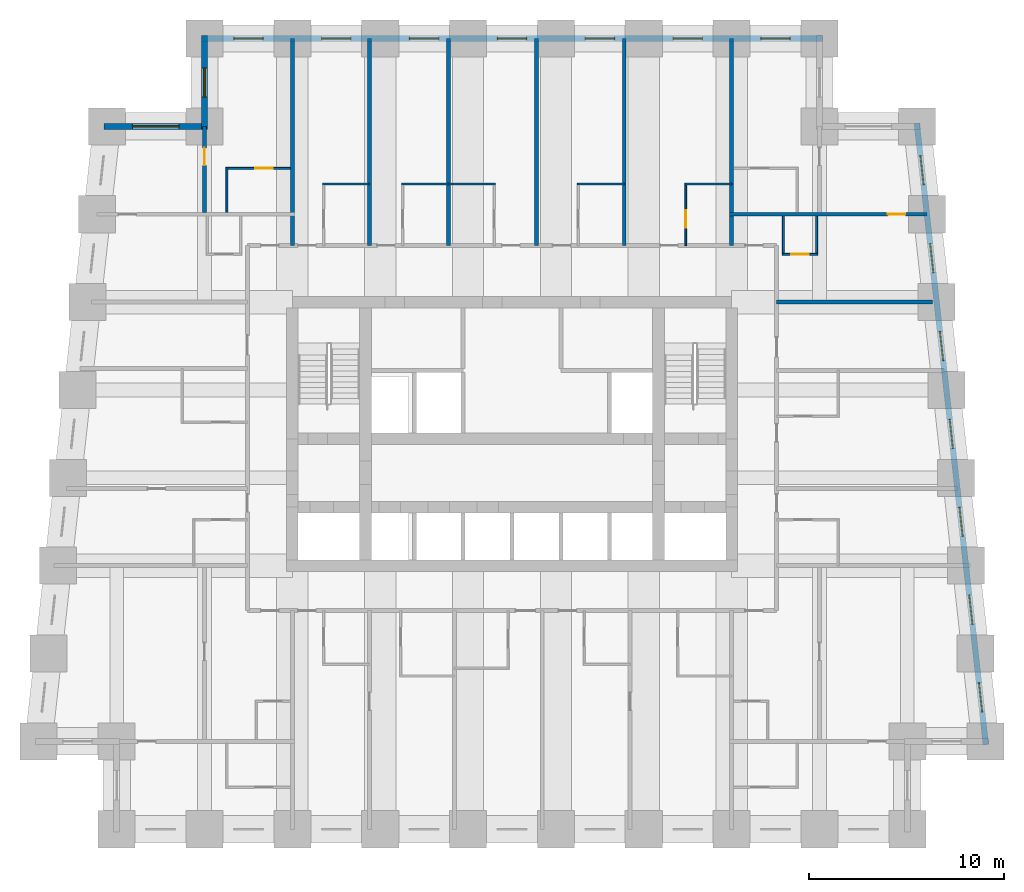
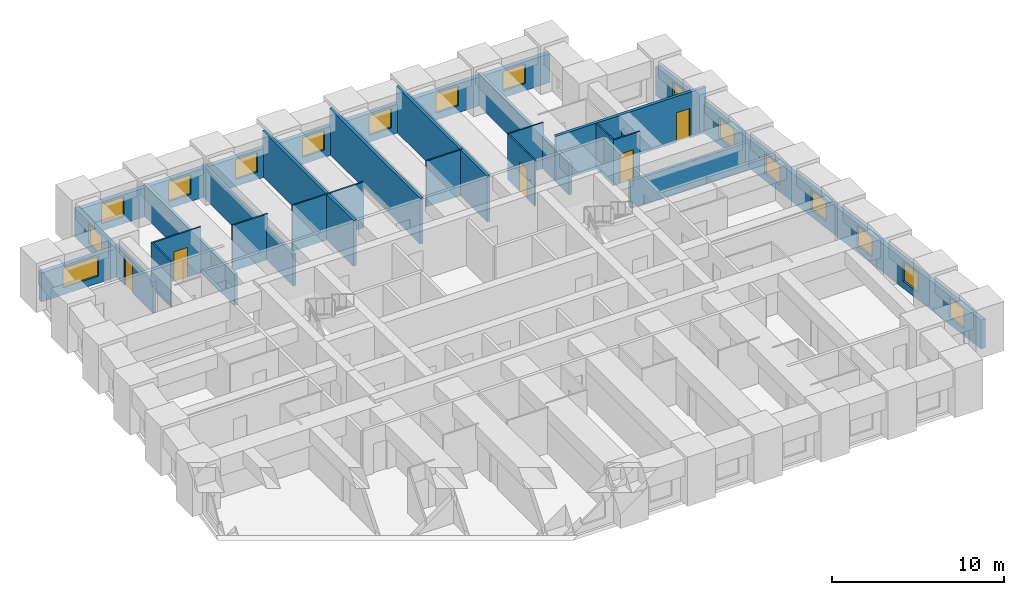
# One storey, part 6 of 8: 24 walls, 16 windows, 5 doors, 21 openings.
"""IFC4 building model written with IfcOpenShell, lengths in metres."""

from ifc_helpers import new_model, si_unit, direction, frame, frame_2d, origin, place, context, subcontext, project, spatial, rectangle, extrude, material, layer, layer_set, type_object, element, fill, save


model = new_model("IFC4")

# Units and contexts
model_context = context("Model", 3, precision=1e-05, world=origin(), true_north=direction((0.0, 1.0)))
body_context = subcontext(model_context, "Body", "Model", "MODEL_VIEW")
ifc_project = project(units=[si_unit("LENGTHUNIT", "METRE"), si_unit("AREAUNIT", "SQUARE_METRE"), si_unit("VOLUMEUNIT", "CUBIC_METRE"), si_unit("PLANEANGLEUNIT", "RADIAN"), si_unit("MASSUNIT", "GRAM", prefix="KILO")], contexts=[model_context])

# Site, building, storey
site_placement = place(None, origin())
site = spatial("IfcSite", under=ifc_project, at=site_placement, CompositionType="ELEMENT")
building_placement = place(site_placement, origin())
building = spatial("IfcBuilding", under=site, at=building_placement, Name="Kilele Tower Hotel", CompositionType="ELEMENT")
storey_placement = place(building_placement, frame((0.0, 0.0, 50.699951171875)))
storey = spatial("IfcBuildingStorey", under=building, at=storey_placement, Name="L11", CompositionType="ELEMENT", Elevation=50.699951171875)

# Walls
ifc_material_1 = material(Name="Moisture-resistant board")
ifc_layer_1 = layer(ifc_material_1, 0.10009765625)
ifc_layer_set_1 = layer_set([ifc_layer_1], Name="Moisture-resistant board")
wall_type_1 = type_object("IfcWallType", Name="Bathroom partition 100", PredefinedType="PLUMBINGWALL", material=ifc_layer_set_1)
for number, where, z_axis, x_axis, name in (
    (1, (15.050048828125, 33.050048828125, 0.0), (0.0, 0.0, 1.0), (1.0, 0.0, 0.0), "Bathroom partition 100 L11"),
    (2, (19.10009765625, 33.050048828125, 0.0), (0.0, 0.0, 1.0), (1.0, 0.0, 0.0), "Bathroom partition 100 L11"),
    (3, (21.5, 33.050048828125, 0.0), (0.0, 0.0, 1.0), (1.0, 0.0, 0.0), "Bathroom partition 100 L11"),
    (4, (28.10009765625, 33.050048828125, 0.0), (0.0, 0.0, 1.0), (1.0, 0.0, 0.0), "Bathroom partition 100 L11"),
    (5, (33.60009765625, 33.050048828125, 0.0), (0.0, 0.0, 1.0), (1.0, 0.0, 0.0), "Bathroom partition 100 L11"),
):
    element("IfcWall", number, at=place(storey_placement, frame(where, z_axis=z_axis, x_axis=x_axis)), inside=storey, type_object=wall_type_1, Name=name, PredefinedType="PLUMBINGWALL", context=body_context, shape_type="SweptSolid", body=[
        extrude(rectangle(XDim=2.39990234375, YDim=0.10009765625, at=frame_2d((1.199951171875, 0.0))), origin(), (0.0, 0.0, 1.0), 3.25),
    ])

# Wall, opening, door
wall_1_placement = place(storey_placement, frame((33.64990234375, 29.89990234375, 0.0), z_axis=(0.0, 0.0, 1.0), x_axis=(0.0, 1.0, 0.0)))
wall_1 = element("IfcWall", 6, at=wall_1_placement, inside=storey, type_object=wall_type_1, Name="Bathroom partition 100 L11", PredefinedType="PLUMBINGWALL", context=body_context, shape_type="SweptSolid", body=[
    extrude(rectangle(XDim=3.2001953125, YDim=0.10009765625, at=frame_2d((1.60009765625, 0.0))), origin(), (0.0, 0.0, 1.0), 3.25),
])
opening_1_placement = place(wall_1_placement, frame((0.89990234375, 0.0, 0.0)))
opening_1 = element("IfcOpeningElement", 7, at=opening_1_placement, cuts=wall_1, Name="Opening D2A", PredefinedType="OPENING", context=body_context, shape_type="SweptSolid", body=[
    extrude(rectangle(XDim=0.89990234375, YDim=2.10009765625, at=frame_2d((0.449951171875, 1.050048828125))), frame((0.0, 0.06005859375, 0.0), z_axis=(0.0, -1.0, 0.0), x_axis=(1.0, 0.0, 0.0)), (0.0, 0.0, 1.0), 0.1201171875),
])
ifc_material_2 = material(Name="Timber door leaf in hardwood frame", Category="wood")
door_type_1 = type_object("IfcDoorType", Name="Bathroom door 900", OperationType="SINGLE_SWING_LEFT", PredefinedType="DOOR", material=ifc_material_2)
door_1_placement = place(opening_1_placement, origin())
door_1 = element("IfcDoor", 8, at=door_1_placement, inside=storey, type_object=door_type_1, Name="Bathroom door 1113B", OperationType="SINGLE_SWING_LEFT", OverallHeight=2.10009765625, OverallWidth=0.89990234375, PredefinedType="DOOR", context=body_context, shape_type="SweptSolid", body=[
    extrude(rectangle(XDim=0.89990234375, YDim=2.10009765625, at=frame_2d((0.449951171875, 1.050048828125))), frame((0.0, 0.02490234375, 0.0), z_axis=(0.0, -1.0, 0.0), x_axis=(1.0, 0.0, 0.0)), (0.0, 0.0, 1.0), 0.050048828125),
])
fill(opening_1, door_1)

# Walls
wall_2_placement = place(storey_placement, frame((40.35009765625, 31.39990234375, 0.0), z_axis=(0.0, 0.0, 1.0), x_axis=(0.0, -1.0, 0.0)))
element("IfcWall", 9, at=wall_2_placement, inside=storey, type_object=wall_type_1, Name="Bathroom partition 100 L11", PredefinedType="PLUMBINGWALL", context=body_context, shape_type="SweptSolid", body=[
    extrude(rectangle(XDim=2.0, YDim=0.10009765625, at=frame_2d((1.0, 0.0))), origin(), (0.0, 0.0, 1.0), 2.25),
])
wall_3_placement = place(storey_placement, frame((38.64990234375, 31.39990234375, 0.0), z_axis=(0.0, 0.0, 1.0), x_axis=(0.0, -1.0, 0.0)))
element("IfcWall", 10, at=wall_3_placement, inside=storey, type_object=wall_type_1, Name="Bathroom partition 100 L11", PredefinedType="PLUMBINGWALL", context=body_context, shape_type="SweptSolid", body=[
    extrude(rectangle(XDim=2.0, YDim=0.10009765625, at=frame_2d((1.0, 0.0))), origin(), (0.0, 0.0, 1.0), 3.25),
])

# Wall, opening, door
wall_4_placement = place(storey_placement, frame((38.60009765625, 29.449951171875, 0.0), z_axis=(0.0, 0.0, 1.0), x_axis=(1.0, 0.0, 0.0)))
wall_4 = element("IfcWall", 11, at=wall_4_placement, inside=storey, type_object=wall_type_1, Name="Bathroom partition 100 L11", PredefinedType="PLUMBINGWALL", context=body_context, shape_type="SweptSolid", body=[
    extrude(rectangle(XDim=1.7998046875, YDim=0.10009765625, at=frame_2d((0.89990234375, 0.0))), origin(), (0.0, 0.0, 1.0), 3.25),
])
opening_2_placement = place(wall_4_placement, frame((1.349853515625, 0.0, 0.0), z_axis=(0.0, 0.0, 1.0), x_axis=(-1.0, 0.0, 0.0)))
opening_2 = element("IfcOpeningElement", 12, at=opening_2_placement, cuts=wall_4, Name="Opening D2A", PredefinedType="OPENING", context=body_context, shape_type="SweptSolid", body=[
    extrude(rectangle(XDim=0.89990234375, YDim=2.10009765625, at=frame_2d((0.449951171875, 1.050048828125))), frame((0.0, 0.06005859375, 0.0), z_axis=(0.0, -1.0, 0.0), x_axis=(1.0, 0.0, 0.0)), (0.0, 0.0, 1.0), 0.1201171875),
])
door_2_placement = place(opening_2_placement, origin())
door_2 = element("IfcDoor", 13, at=door_2_placement, inside=storey, type_object=door_type_1, Name="Bathroom door 1123P", OperationType="SINGLE_SWING_RIGHT", OverallHeight=2.10009765625, OverallWidth=0.89990234375, PredefinedType="DOOR", context=body_context, shape_type="SweptSolid", body=[
    extrude(rectangle(XDim=0.89990234375, YDim=2.10009765625, at=frame_2d((0.449951171875, 1.050048828125))), frame((0.0, 0.02490234375, 0.0), z_axis=(0.0, -1.0, 0.0), x_axis=(1.0, 0.0, 0.0)), (0.0, 0.0, 1.0), 0.050048828125),
])
fill(opening_2, door_2)

# Wall
wall_5_placement = place(storey_placement, frame((10.14990234375, 31.60009765625, 0.0), z_axis=(0.0, 0.0, 1.0), x_axis=(0.0, 1.0, 0.0)))
element("IfcWall", 14, at=wall_5_placement, inside=storey, type_object=wall_type_1, Name="Bathroom partition 100 L11", PredefinedType="PLUMBINGWALL", context=body_context, shape_type="SweptSolid", body=[
    extrude(rectangle(XDim=2.2998046875, YDim=0.10009765625, at=frame_2d((1.14990234375, 0.0))), origin(), (0.0, 0.0, 1.0), 3.25),
])

# Wall, opening, door
wall_6_placement = place(storey_placement, frame((13.39990234375, 33.85009765625, 0.0), z_axis=(0.0, 0.0, 1.0), x_axis=(-1.0, 0.0, 0.0)))
wall_6 = element("IfcWall", 15, at=wall_6_placement, inside=storey, type_object=wall_type_1, Name="Bathroom partition 100 L11", PredefinedType="PLUMBINGWALL", context=body_context, shape_type="SweptSolid", body=[
    extrude(rectangle(XDim=3.2998046875, YDim=0.10009765625, at=frame_2d((1.64990234375, 0.0))), origin(), (0.0, 0.0, 1.0), 3.25),
])
opening_3_placement = place(wall_6_placement, frame((1.7998046875, 0.0, 0.0), z_axis=(0.0, 0.0, 1.0), x_axis=(-1.0, 0.0, 0.0)))
opening_3 = element("IfcOpeningElement", 16, at=opening_3_placement, cuts=wall_6, Name="Opening D2A", PredefinedType="OPENING", context=body_context, shape_type="SweptSolid", body=[
    extrude(rectangle(XDim=0.89990234375, YDim=2.10009765625, at=frame_2d((0.449951171875, 1.050048828125))), frame((0.0, 0.06005859375, 0.0), z_axis=(0.0, -1.0, 0.0), x_axis=(1.0, 0.0, 0.0)), (0.0, 0.0, 1.0), 0.1201171875),
])
door_3_placement = place(opening_3_placement, origin())
door_3 = element("IfcDoor", 17, at=door_3_placement, inside=storey, type_object=door_type_1, Name="Bathroom door 1127B", OperationType="SINGLE_SWING_RIGHT", OverallHeight=2.10009765625, OverallWidth=0.89990234375, PredefinedType="DOOR", context=body_context, shape_type="SweptSolid", body=[
    extrude(rectangle(XDim=0.89990234375, YDim=2.10009765625, at=frame_2d((0.449951171875, 1.050048828125))), frame((0.0, 0.02490234375, 0.0), z_axis=(0.0, -1.0, 0.0), x_axis=(1.0, 0.0, 0.0)), (0.0, 0.0, 1.0), 0.050048828125),
])
fill(opening_3, door_3)

ifc_material_3 = material(Name="Blockwork, plastered both sides", Category="masonry")
ifc_layer_2 = layer(ifc_material_3, 0.199951171875)
ifc_layer_set_2 = layer_set([ifc_layer_2], Name="Blockwork, plastered both sides")
wall_type_2 = type_object("IfcWallType", Name="Partition wall 200", PredefinedType="PARTITIONING", material=ifc_layer_set_2)
wall_7_placement = place(storey_placement, frame((9.0, 31.60009765625, 0.0), z_axis=(0.0, 0.0, 1.0), x_axis=(0.0, 1.0, 0.0)))
wall_7 = element("IfcWall", 18, at=wall_7_placement, inside=storey, type_object=wall_type_2, Name="Partition wall 200 L11", PredefinedType="PARTITIONING", context=body_context, shape_type="SweptSolid", body=[
    extrude(rectangle(XDim=4.39990234375, YDim=0.199951171875, at=frame_2d((2.199951171875, 0.0))), origin(), (0.0, 0.0, 1.0), 2.25),
])
opening_4_placement = place(wall_7_placement, frame((2.39990234375, 0.0, 0.0)))
opening_4 = element("IfcOpeningElement", 19, at=opening_4_placement, cuts=wall_7, Name="Opening D3", PredefinedType="OPENING", context=body_context, shape_type="SweptSolid", body=[
    extrude(rectangle(XDim=0.89990234375, YDim=2.10009765625, at=frame_2d((0.449951171875, 1.050048828125))), frame((0.0, 0.10986328125, 0.0), z_axis=(0.0, -1.0, 0.0), x_axis=(1.0, 0.0, 0.0)), (0.0, 0.0, 1.0), 0.219970703125),
])
ifc_material_4 = material(Name="Timber door leaf in hardwood frame", Category="wood")
door_type_2 = type_object("IfcDoorType", Name="Suite internal door 900", OperationType="SINGLE_SWING_LEFT", PredefinedType="DOOR", material=ifc_material_4)
door_4_placement = place(opening_4_placement, origin())
door_4 = element("IfcDoor", 20, at=door_4_placement, inside=storey, type_object=door_type_2, Name="Suite door 1128", OperationType="SINGLE_SWING_RIGHT", OverallHeight=2.10009765625, OverallWidth=0.89990234375, PredefinedType="DOOR", context=body_context, shape_type="SweptSolid", body=[
    extrude(rectangle(XDim=0.89990234375, YDim=2.10009765625, at=frame_2d((0.449951171875, 1.050048828125))), frame((0.0, 0.02490234375, 0.0), z_axis=(0.0, -1.0, 0.0), x_axis=(1.0, 0.0, 0.0)), (0.0, 0.0, 1.0), 0.050048828125),
])
fill(opening_4, door_4)

# Walls
ifc_material_5 = material(Name="Blockwork, plastered both sides", Category="masonry")
ifc_layer_3 = layer(ifc_material_5, 0.199951171875)
ifc_layer_set_3 = layer_set([ifc_layer_3], Name="Blockwork, plastered both sides")
wall_type_3 = type_object("IfcWallType", Name="Party wall 200", PredefinedType="PARTITIONING", material=ifc_layer_set_3)
wall_8_placement = place(storey_placement, frame((17.449951171875, 29.89990234375, 0.0), z_axis=(0.0, 0.0, 1.0), x_axis=(0.0, 1.0, 0.0)))
element("IfcWall", 21, at=wall_8_placement, inside=storey, type_object=wall_type_3, Name="Party wall 200 L11", PredefinedType="PARTITIONING", context=body_context, shape_type="SweptSolid", body=[
    extrude(rectangle(XDim=10.60009765625, YDim=0.199951171875, at=frame_2d((5.300048828125, 0.0))), origin(), (0.0, 0.0, 1.0), 2.25),
])
for number, where, z_axis, x_axis, name in (
    (22, (21.5, 29.89990234375, 0.0), (0.0, 0.0, 1.0), (0.0, 1.0, 0.0), "Party wall 200 L11"),
    (23, (26.0, 29.89990234375, 0.0), (0.0, 0.0, 1.0), (0.0, 1.0, 0.0), "Party wall 200 L11"),
    (24, (30.5, 29.89990234375, 0.0), (0.0, 0.0, 1.0), (0.0, 1.0, 0.0), "Party wall 200 L11"),
):
    element("IfcWall", number, at=place(storey_placement, frame(where, z_axis=z_axis, x_axis=x_axis)), inside=storey, type_object=wall_type_3, Name=name, PredefinedType="PARTITIONING", context=body_context, shape_type="SweptSolid", body=[
        extrude(rectangle(XDim=10.60009765625, YDim=0.199951171875, at=frame_2d((5.300048828125, 0.0))), origin(), (0.0, 0.0, 1.0), 3.25),
    ])
wall_9_placement = place(storey_placement, frame((38.300048828125, 27.0, 0.0), z_axis=(0.0, 0.0, 1.0), x_axis=(1.0, 0.0, 0.0)))
element("IfcWall", 25, at=wall_9_placement, inside=storey, type_object=wall_type_3, Name="Party wall 200 L11", PredefinedType="PARTITIONING", context=body_context, shape_type="SweptSolid", body=[
    extrude(rectangle(XDim=7.976806640625, YDim=0.199951171875, at=frame_2d((3.98828125, 0.0))), origin(), (0.0, 0.0, 1.0), 1.949951171875),
])
wall_10_placement = place(storey_placement, frame((36.0, 29.89990234375, 0.0), z_axis=(0.0, 0.0, 1.0), x_axis=(0.0, 1.0, 0.0)))
element("IfcWall", 26, at=wall_10_placement, inside=storey, type_object=wall_type_3, Name="Party wall 200 L11", PredefinedType="PARTITIONING", context=body_context, shape_type="SweptSolid", body=[
    extrude(rectangle(XDim=10.60009765625, YDim=0.199951171875, at=frame_2d((5.300048828125, 0.0))), origin(), (0.0, 0.0, 1.0), 2.25),
])

# Wall, opening, door
wall_11_placement = place(storey_placement, frame((35.89990234375, 31.5, 0.0), z_axis=(0.0, 0.0, 1.0), x_axis=(1.0, 0.0, 0.0)))
wall_11 = element("IfcWall", 27, at=wall_11_placement, inside=storey, type_object=wall_type_3, Name="Party wall 200 L11", PredefinedType="PARTITIONING", context=body_context, shape_type="SweptSolid", body=[
    extrude(rectangle(XDim=10.09912109375, YDim=0.199951171875, at=frame_2d((5.049560546875, 0.0))), origin(), (0.0, 0.0, 1.0), 3.25),
])
opening_5_placement = place(wall_11_placement, frame((8.09912109375, 0.0, 0.0)))
opening_5 = element("IfcOpeningElement", 28, at=opening_5_placement, cuts=wall_11, Name="Opening D3", PredefinedType="OPENING", context=body_context, shape_type="SweptSolid", body=[
    extrude(rectangle(XDim=0.89990234375, YDim=2.10009765625, at=frame_2d((0.449951171875, 1.050048828125))), frame((0.0, 0.10986328125, 0.0), z_axis=(0.0, -1.0, 0.0), x_axis=(1.0, 0.0, 0.0)), (0.0, 0.0, 1.0), 0.219970703125),
])
door_5_placement = place(opening_5_placement, origin())
door_5 = element("IfcDoor", 29, at=door_5_placement, inside=storey, type_object=door_type_2, Name="Suite door 1124", OperationType="SINGLE_SWING_RIGHT", OverallHeight=2.10009765625, OverallWidth=0.89990234375, PredefinedType="DOOR", context=body_context, shape_type="SweptSolid", body=[
    extrude(rectangle(XDim=0.89990234375, YDim=2.10009765625, at=frame_2d((0.449951171875, 1.050048828125))), frame((0.0, 0.02490234375, 0.0), z_axis=(0.0, -1.0, 0.0), x_axis=(1.0, 0.0, 0.0)), (0.0, 0.0, 1.0), 0.050048828125),
])
fill(opening_5, door_5)

# Wall
wall_12_placement = place(storey_placement, frame((13.5, 29.89990234375, 0.0), z_axis=(0.0, 0.0, 1.0), x_axis=(0.0, 1.0, 0.0)))
element("IfcWall", 30, at=wall_12_placement, inside=storey, type_object=wall_type_3, Name="Party wall 200 L11", PredefinedType="PARTITIONING", context=body_context, shape_type="SweptSolid", body=[
    extrude(rectangle(XDim=10.60009765625, YDim=0.199951171875, at=frame_2d((5.300048828125, 0.0))), origin(), (0.0, 0.0, 1.0), 2.25),
])

# Wall, openings, windows
ifc_material_6 = material(Name="Concrete C40/50 precast", Category="concrete")
ifc_layer_4 = layer(ifc_material_6, 0.260009765625, Name="Precast backing", Category="LoadBearing")
ifc_material_7 = material(Name="Reconstituted stone finish", Category="masonry")
ifc_layer_5 = layer(ifc_material_7, 0.0400390625, Name="Face mix", Category="Finish")
ifc_layer_set_4 = layer_set([ifc_layer_4, ifc_layer_5], Name="Precast concrete C40/50, reconstituted stone finish")
wall_type_4 = type_object("IfcWallType", Name="Precast stone facade wall 300", PredefinedType="STANDARD", material=ifc_layer_set_4)
wall_13_placement = place(storey_placement, frame((49.0166015625, 4.350830078125, 0.0), z_axis=(0.0, 0.0, 1.0), x_axis=(-0.110433201132, 0.993883548555, 0.0)))
wall_13 = element("IfcWall", 31, at=wall_13_placement, inside=storey, type_object=wall_type_4, Name="Facade wall L11 edge 6", PredefinedType="STANDARD", context=body_context, shape_type="SweptSolid", body=[
    extrude(rectangle(XDim=31.994140625, YDim=0.300048828125, at=frame_2d((15.9970703125, 0.0))), origin(), (0.0, 0.0, 1.0), 2.050048828125),
])
opening_6_placement = place(wall_13_placement, frame((1.6640625, 0.0, 0.5)))
opening_6 = element("IfcOpeningElement", 32, at=opening_6_placement, cuts=wall_13, Name="Opening W1", PredefinedType="OPENING", context=body_context, shape_type="SweptSolid", body=[
    extrude(rectangle(XDim=1.5, YDim=1.39990234375, at=frame_2d((0.75, 0.699951171875))), frame((0.0, 0.159912109375, 0.0), z_axis=(0.0, -1.0, 0.0), x_axis=(1.0, 0.0, 0.0)), (0.0, 0.0, 1.0), 0.320068359375),
])
opening_7_placement = place(wall_13_placement, frame((6.19189453125, 0.0, 0.5)))
opening_7 = element("IfcOpeningElement", 33, at=opening_7_placement, cuts=wall_13, Name="Opening W1", PredefinedType="OPENING", context=body_context, shape_type="SweptSolid", body=[
    extrude(rectangle(XDim=1.5, YDim=1.39990234375, at=frame_2d((0.75, 0.699951171875))), frame((0.0, 0.159912109375, 0.0), z_axis=(0.0, -1.0, 0.0), x_axis=(1.0, 0.0, 0.0)), (0.0, 0.0, 1.0), 0.320068359375),
])
opening_8_placement = place(wall_13_placement, frame((10.718994140625, 0.0, 0.5)))
opening_8 = element("IfcOpeningElement", 34, at=opening_8_placement, cuts=wall_13, Name="Opening W1", PredefinedType="OPENING", context=body_context, shape_type="SweptSolid", body=[
    extrude(rectangle(XDim=1.5, YDim=1.39990234375, at=frame_2d((0.75, 0.699951171875))), frame((0.0, 0.159912109375, 0.0), z_axis=(0.0, -1.0, 0.0), x_axis=(1.0, 0.0, 0.0)), (0.0, 0.0, 1.0), 0.320068359375),
])
opening_9_placement = place(wall_13_placement, frame((15.2470703125, 0.0, 0.5)))
opening_9 = element("IfcOpeningElement", 35, at=opening_9_placement, cuts=wall_13, Name="Opening W1", PredefinedType="OPENING", context=body_context, shape_type="SweptSolid", body=[
    extrude(rectangle(XDim=1.5, YDim=1.39990234375, at=frame_2d((0.75, 0.699951171875))), frame((0.0, 0.159912109375, 0.0), z_axis=(0.0, -1.0, 0.0), x_axis=(1.0, 0.0, 0.0)), (0.0, 0.0, 1.0), 0.320068359375),
])
opening_10_placement = place(wall_13_placement, frame((19.77490234375, 0.0, 0.5)))
opening_10 = element("IfcOpeningElement", 36, at=opening_10_placement, cuts=wall_13, Name="Opening W1", PredefinedType="OPENING", context=body_context, shape_type="SweptSolid", body=[
    extrude(rectangle(XDim=1.5, YDim=1.39990234375, at=frame_2d((0.75, 0.699951171875))), frame((0.0, 0.159912109375, 0.0), z_axis=(0.0, -1.0, 0.0), x_axis=(1.0, 0.0, 0.0)), (0.0, 0.0, 1.0), 0.320068359375),
])
opening_11_placement = place(wall_13_placement, frame((24.302001953125, 0.0, 0.5)))
opening_11 = element("IfcOpeningElement", 37, at=opening_11_placement, cuts=wall_13, Name="Opening W1", PredefinedType="OPENING", context=body_context, shape_type="SweptSolid", body=[
    extrude(rectangle(XDim=1.5, YDim=1.39990234375, at=frame_2d((0.75, 0.699951171875))), frame((0.0, 0.159912109375, 0.0), z_axis=(0.0, -1.0, 0.0), x_axis=(1.0, 0.0, 0.0)), (0.0, 0.0, 1.0), 0.320068359375),
])
opening_12_placement = place(wall_13_placement, frame((28.830078125, 0.0, 0.5)))
opening_12 = element("IfcOpeningElement", 38, at=opening_12_placement, cuts=wall_13, Name="Opening W1", PredefinedType="OPENING", context=body_context, shape_type="SweptSolid", body=[
    extrude(rectangle(XDim=1.5, YDim=1.39990234375, at=frame_2d((0.75, 0.699951171875))), frame((0.0, 0.159912109375, 0.0), z_axis=(0.0, -1.0, 0.0), x_axis=(1.0, 0.0, 0.0)), (0.0, 0.0, 1.0), 0.320068359375),
])
ifc_material_8 = material(Name="Aluminium frame, clear double glazing", Category="aluminium")
window_type_1 = type_object("IfcWindowType", Name="Window W1 1500 x 1400", PartitioningType="SINGLE_PANEL", PredefinedType="WINDOW", material=ifc_material_8)
window_1_placement = place(opening_6_placement, origin())
window_1 = element("IfcWindow", 39, at=window_1_placement, inside=storey, type_object=window_type_1, Name="Window L11", OverallHeight=1.39990234375, OverallWidth=1.5, PartitioningType="SINGLE_PANEL", PredefinedType="WINDOW", context=body_context, shape_type="SweptSolid", body=[
    extrude(rectangle(XDim=1.5, YDim=1.39990234375, at=frame_2d((0.75, 0.699951171875))), frame((0.0, 0.030029296875, 0.0), z_axis=(0.0, -1.0, 0.0), x_axis=(1.0, 0.0, 0.0)), (0.0, 0.0, 1.0), 0.06005859375),
])
fill(opening_6, window_1)
window_2_placement = place(opening_7_placement, origin())
window_2 = element("IfcWindow", 40, at=window_2_placement, inside=storey, type_object=window_type_1, Name="Window L11", OverallHeight=1.39990234375, OverallWidth=1.5, PartitioningType="SINGLE_PANEL", PredefinedType="WINDOW", context=body_context, shape_type="SweptSolid", body=[
    extrude(rectangle(XDim=1.5, YDim=1.39990234375, at=frame_2d((0.75, 0.699951171875))), frame((0.0, 0.030029296875, 0.0), z_axis=(0.0, -1.0, 0.0), x_axis=(1.0, 0.0, 0.0)), (0.0, 0.0, 1.0), 0.06005859375),
])
fill(opening_7, window_2)
window_3_placement = place(opening_8_placement, origin())
window_3 = element("IfcWindow", 41, at=window_3_placement, inside=storey, type_object=window_type_1, Name="Window L11", OverallHeight=1.39990234375, OverallWidth=1.5, PartitioningType="SINGLE_PANEL", PredefinedType="WINDOW", context=body_context, shape_type="SweptSolid", body=[
    extrude(rectangle(XDim=1.5, YDim=1.39990234375, at=frame_2d((0.75, 0.699951171875))), frame((0.0, 0.030029296875, 0.0), z_axis=(0.0, -1.0, 0.0), x_axis=(1.0, 0.0, 0.0)), (0.0, 0.0, 1.0), 0.06005859375),
])
fill(opening_8, window_3)
window_4_placement = place(opening_9_placement, origin())
window_4 = element("IfcWindow", 42, at=window_4_placement, inside=storey, type_object=window_type_1, Name="Window L11", OverallHeight=1.39990234375, OverallWidth=1.5, PartitioningType="SINGLE_PANEL", PredefinedType="WINDOW", context=body_context, shape_type="SweptSolid", body=[
    extrude(rectangle(XDim=1.5, YDim=1.39990234375, at=frame_2d((0.75, 0.699951171875))), frame((0.0, 0.030029296875, 0.0), z_axis=(0.0, -1.0, 0.0), x_axis=(1.0, 0.0, 0.0)), (0.0, 0.0, 1.0), 0.06005859375),
])
fill(opening_9, window_4)
window_5_placement = place(opening_10_placement, origin())
window_5 = element("IfcWindow", 43, at=window_5_placement, inside=storey, type_object=window_type_1, Name="Window L11", OverallHeight=1.39990234375, OverallWidth=1.5, PartitioningType="SINGLE_PANEL", PredefinedType="WINDOW", context=body_context, shape_type="SweptSolid", body=[
    extrude(rectangle(XDim=1.5, YDim=1.39990234375, at=frame_2d((0.75, 0.699951171875))), frame((0.0, 0.030029296875, 0.0), z_axis=(0.0, -1.0, 0.0), x_axis=(1.0, 0.0, 0.0)), (0.0, 0.0, 1.0), 0.06005859375),
])
fill(opening_10, window_5)
window_6_placement = place(opening_11_placement, origin())
window_6 = element("IfcWindow", 44, at=window_6_placement, inside=storey, type_object=window_type_1, Name="Window L11", OverallHeight=1.39990234375, OverallWidth=1.5, PartitioningType="SINGLE_PANEL", PredefinedType="WINDOW", context=body_context, shape_type="SweptSolid", body=[
    extrude(rectangle(XDim=1.5, YDim=1.39990234375, at=frame_2d((0.75, 0.699951171875))), frame((0.0, 0.030029296875, 0.0), z_axis=(0.0, -1.0, 0.0), x_axis=(1.0, 0.0, 0.0)), (0.0, 0.0, 1.0), 0.06005859375),
])
fill(opening_11, window_6)
window_7_placement = place(opening_12_placement, origin())
window_7 = element("IfcWindow", 45, at=window_7_placement, inside=storey, type_object=window_type_1, Name="Window L11", OverallHeight=1.39990234375, OverallWidth=1.5, PartitioningType="SINGLE_PANEL", PredefinedType="WINDOW", context=body_context, shape_type="SweptSolid", body=[
    extrude(rectangle(XDim=1.5, YDim=1.39990234375, at=frame_2d((0.75, 0.699951171875))), frame((0.0, 0.030029296875, 0.0), z_axis=(0.0, -1.0, 0.0), x_axis=(1.0, 0.0, 0.0)), (0.0, 0.0, 1.0), 0.06005859375),
])
fill(opening_12, window_7)

wall_14_placement = place(storey_placement, frame((40.64990234375, 40.5, 0.0), z_axis=(0.0, 0.0, 1.0), x_axis=(-1.0, 0.0, 0.0)))
wall_14 = element("IfcWall", 46, at=wall_14_placement, inside=storey, type_object=wall_type_4, Name="Facade wall L11 edge 9", PredefinedType="STANDARD", context=body_context, shape_type="SweptSolid", body=[
    extrude(rectangle(XDim=31.7998046875, YDim=0.300048828125, at=frame_2d((15.89990234375, 0.0))), origin(), (0.0, 0.0, 1.0), 2.050048828125),
])
opening_13_placement = place(wall_14_placement, frame((1.64990234375, 0.0, 0.5)))
opening_13 = element("IfcOpeningElement", 47, at=opening_13_placement, cuts=wall_14, Name="Opening W1", PredefinedType="OPENING", context=body_context, shape_type="SweptSolid", body=[
    extrude(rectangle(XDim=1.5, YDim=1.39990234375, at=frame_2d((0.75, 0.699951171875))), frame((0.0, 0.159912109375, 0.0), z_axis=(0.0, -1.0, 0.0), x_axis=(1.0, 0.0, 0.0)), (0.0, 0.0, 1.0), 0.320068359375),
])
opening_14_placement = place(wall_14_placement, frame((6.14990234375, 0.0, 0.5)))
opening_14 = element("IfcOpeningElement", 48, at=opening_14_placement, cuts=wall_14, Name="Opening W1", PredefinedType="OPENING", context=body_context, shape_type="SweptSolid", body=[
    extrude(rectangle(XDim=1.5, YDim=1.39990234375, at=frame_2d((0.75, 0.699951171875))), frame((0.0, 0.159912109375, 0.0), z_axis=(0.0, -1.0, 0.0), x_axis=(1.0, 0.0, 0.0)), (0.0, 0.0, 1.0), 0.320068359375),
])
opening_15_placement = place(wall_14_placement, frame((10.64990234375, 0.0, 0.5)))
opening_15 = element("IfcOpeningElement", 49, at=opening_15_placement, cuts=wall_14, Name="Opening W1", PredefinedType="OPENING", context=body_context, shape_type="SweptSolid", body=[
    extrude(rectangle(XDim=1.5, YDim=1.39990234375, at=frame_2d((0.75, 0.699951171875))), frame((0.0, 0.159912109375, 0.0), z_axis=(0.0, -1.0, 0.0), x_axis=(1.0, 0.0, 0.0)), (0.0, 0.0, 1.0), 0.320068359375),
])
opening_16_placement = place(wall_14_placement, frame((15.14990234375, 0.0, 0.5)))
opening_16 = element("IfcOpeningElement", 50, at=opening_16_placement, cuts=wall_14, Name="Opening W1", PredefinedType="OPENING", context=body_context, shape_type="SweptSolid", body=[
    extrude(rectangle(XDim=1.5, YDim=1.39990234375, at=frame_2d((0.75, 0.699951171875))), frame((0.0, 0.159912109375, 0.0), z_axis=(0.0, -1.0, 0.0), x_axis=(1.0, 0.0, 0.0)), (0.0, 0.0, 1.0), 0.320068359375),
])
opening_17_placement = place(wall_14_placement, frame((19.64990234375, 0.0, 0.5)))
opening_17 = element("IfcOpeningElement", 51, at=opening_17_placement, cuts=wall_14, Name="Opening W1", PredefinedType="OPENING", context=body_context, shape_type="SweptSolid", body=[
    extrude(rectangle(XDim=1.5, YDim=1.39990234375, at=frame_2d((0.75, 0.699951171875))), frame((0.0, 0.159912109375, 0.0), z_axis=(0.0, -1.0, 0.0), x_axis=(1.0, 0.0, 0.0)), (0.0, 0.0, 1.0), 0.320068359375),
])
opening_18_placement = place(wall_14_placement, frame((24.14990234375, 0.0, 0.5)))
opening_18 = element("IfcOpeningElement", 52, at=opening_18_placement, cuts=wall_14, Name="Opening W1", PredefinedType="OPENING", context=body_context, shape_type="SweptSolid", body=[
    extrude(rectangle(XDim=1.5, YDim=1.39990234375, at=frame_2d((0.75, 0.699951171875))), frame((0.0, 0.159912109375, 0.0), z_axis=(0.0, -1.0, 0.0), x_axis=(1.0, 0.0, 0.0)), (0.0, 0.0, 1.0), 0.320068359375),
])
opening_19_placement = place(wall_14_placement, frame((28.64990234375, 0.0, 0.5)))
opening_19 = element("IfcOpeningElement", 53, at=opening_19_placement, cuts=wall_14, Name="Opening W1", PredefinedType="OPENING", context=body_context, shape_type="SweptSolid", body=[
    extrude(rectangle(XDim=1.5, YDim=1.39990234375, at=frame_2d((0.75, 0.699951171875))), frame((0.0, 0.159912109375, 0.0), z_axis=(0.0, -1.0, 0.0), x_axis=(1.0, 0.0, 0.0)), (0.0, 0.0, 1.0), 0.320068359375),
])
window_8_placement = place(opening_13_placement, origin())
window_8 = element("IfcWindow", 54, at=window_8_placement, inside=storey, type_object=window_type_1, Name="Window L11", OverallHeight=1.39990234375, OverallWidth=1.5, PartitioningType="SINGLE_PANEL", PredefinedType="WINDOW", context=body_context, shape_type="SweptSolid", body=[
    extrude(rectangle(XDim=1.5, YDim=1.39990234375, at=frame_2d((0.75, 0.699951171875))), frame((0.0, 0.030029296875, 0.0), z_axis=(0.0, -1.0, 0.0), x_axis=(1.0, 0.0, 0.0)), (0.0, 0.0, 1.0), 0.06005859375),
])
fill(opening_13, window_8)
window_9_placement = place(opening_14_placement, origin())
window_9 = element("IfcWindow", 55, at=window_9_placement, inside=storey, type_object=window_type_1, Name="Window L11", OverallHeight=1.39990234375, OverallWidth=1.5, PartitioningType="SINGLE_PANEL", PredefinedType="WINDOW", context=body_context, shape_type="SweptSolid", body=[
    extrude(rectangle(XDim=1.5, YDim=1.39990234375, at=frame_2d((0.75, 0.699951171875))), frame((0.0, 0.030029296875, 0.0), z_axis=(0.0, -1.0, 0.0), x_axis=(1.0, 0.0, 0.0)), (0.0, 0.0, 1.0), 0.06005859375),
])
fill(opening_14, window_9)
window_10_placement = place(opening_15_placement, origin())
window_10 = element("IfcWindow", 56, at=window_10_placement, inside=storey, type_object=window_type_1, Name="Window L11", OverallHeight=1.39990234375, OverallWidth=1.5, PartitioningType="SINGLE_PANEL", PredefinedType="WINDOW", context=body_context, shape_type="SweptSolid", body=[
    extrude(rectangle(XDim=1.5, YDim=1.39990234375, at=frame_2d((0.75, 0.699951171875))), frame((0.0, 0.030029296875, 0.0), z_axis=(0.0, -1.0, 0.0), x_axis=(1.0, 0.0, 0.0)), (0.0, 0.0, 1.0), 0.06005859375),
])
fill(opening_15, window_10)
window_11_placement = place(opening_16_placement, origin())
window_11 = element("IfcWindow", 57, at=window_11_placement, inside=storey, type_object=window_type_1, Name="Window L11", OverallHeight=1.39990234375, OverallWidth=1.5, PartitioningType="SINGLE_PANEL", PredefinedType="WINDOW", context=body_context, shape_type="SweptSolid", body=[
    extrude(rectangle(XDim=1.5, YDim=1.39990234375, at=frame_2d((0.75, 0.699951171875))), frame((0.0, 0.030029296875, 0.0), z_axis=(0.0, -1.0, 0.0), x_axis=(1.0, 0.0, 0.0)), (0.0, 0.0, 1.0), 0.06005859375),
])
fill(opening_16, window_11)
window_12_placement = place(opening_17_placement, origin())
window_12 = element("IfcWindow", 58, at=window_12_placement, inside=storey, type_object=window_type_1, Name="Window L11", OverallHeight=1.39990234375, OverallWidth=1.5, PartitioningType="SINGLE_PANEL", PredefinedType="WINDOW", context=body_context, shape_type="SweptSolid", body=[
    extrude(rectangle(XDim=1.5, YDim=1.39990234375, at=frame_2d((0.75, 0.699951171875))), frame((0.0, 0.030029296875, 0.0), z_axis=(0.0, -1.0, 0.0), x_axis=(1.0, 0.0, 0.0)), (0.0, 0.0, 1.0), 0.06005859375),
])
fill(opening_17, window_12)
window_13_placement = place(opening_18_placement, origin())
window_13 = element("IfcWindow", 59, at=window_13_placement, inside=storey, type_object=window_type_1, Name="Window L11", OverallHeight=1.39990234375, OverallWidth=1.5, PartitioningType="SINGLE_PANEL", PredefinedType="WINDOW", context=body_context, shape_type="SweptSolid", body=[
    extrude(rectangle(XDim=1.5, YDim=1.39990234375, at=frame_2d((0.75, 0.699951171875))), frame((0.0, 0.030029296875, 0.0), z_axis=(0.0, -1.0, 0.0), x_axis=(1.0, 0.0, 0.0)), (0.0, 0.0, 1.0), 0.06005859375),
])
fill(opening_18, window_13)
window_14_placement = place(opening_19_placement, origin())
window_14 = element("IfcWindow", 60, at=window_14_placement, inside=storey, type_object=window_type_1, Name="Window L11", OverallHeight=1.39990234375, OverallWidth=1.5, PartitioningType="SINGLE_PANEL", PredefinedType="WINDOW", context=body_context, shape_type="SweptSolid", body=[
    extrude(rectangle(XDim=1.5, YDim=1.39990234375, at=frame_2d((0.75, 0.699951171875))), frame((0.0, 0.030029296875, 0.0), z_axis=(0.0, -1.0, 0.0), x_axis=(1.0, 0.0, 0.0)), (0.0, 0.0, 1.0), 0.06005859375),
])
fill(opening_19, window_14)

# Wall, opening, window
wall_15_placement = place(storey_placement, frame((9.0, 40.64990234375, 0.0), z_axis=(0.0, 0.0, 1.0), x_axis=(0.0, -1.0, 0.0)))
wall_15 = element("IfcWall", 61, at=wall_15_placement, inside=storey, type_object=wall_type_4, Name="Facade wall L11 edge 10", PredefinedType="STANDARD", context=body_context, shape_type="SweptSolid", body=[
    extrude(rectangle(XDim=4.7998046875, YDim=0.300048828125, at=frame_2d((2.39990234375, 0.0))), origin(), (0.0, 0.0, 1.0), 2.050048828125),
])
opening_20_placement = place(wall_15_placement, frame((1.64990234375, 0.0, 0.5)))
opening_20 = element("IfcOpeningElement", 62, at=opening_20_placement, cuts=wall_15, Name="Opening W1", PredefinedType="OPENING", context=body_context, shape_type="SweptSolid", body=[
    extrude(rectangle(XDim=1.5, YDim=1.39990234375, at=frame_2d((0.75, 0.699951171875))), frame((0.0, 0.159912109375, 0.0), z_axis=(0.0, -1.0, 0.0), x_axis=(1.0, 0.0, 0.0)), (0.0, 0.0, 1.0), 0.320068359375),
])
window_15_placement = place(opening_20_placement, origin())
window_15 = element("IfcWindow", 63, at=window_15_placement, inside=storey, type_object=window_type_1, Name="Window L11", OverallHeight=1.39990234375, OverallWidth=1.5, PartitioningType="SINGLE_PANEL", PredefinedType="WINDOW", context=body_context, shape_type="SweptSolid", body=[
    extrude(rectangle(XDim=1.5, YDim=1.39990234375, at=frame_2d((0.75, 0.699951171875))), frame((0.0, 0.030029296875, 0.0), z_axis=(0.0, -1.0, 0.0), x_axis=(1.0, 0.0, 0.0)), (0.0, 0.0, 1.0), 0.06005859375),
])
fill(opening_20, window_15)

wall_16_placement = place(storey_placement, frame((9.14990234375, 36.0, 0.0), z_axis=(0.0, 0.0, 1.0), x_axis=(-1.0, 0.0, 0.0)))
wall_16 = element("IfcWall", 64, at=wall_16_placement, inside=storey, type_object=wall_type_4, Name="Facade wall L11 edge 11", PredefinedType="STANDARD", context=body_context, shape_type="SweptSolid", body=[
    extrude(rectangle(XDim=5.2998046875, YDim=0.300048828125, at=frame_2d((2.64990234375, 0.0))), origin(), (0.0, 0.0, 1.0), 2.050048828125),
])
opening_21_placement = place(wall_16_placement, frame((1.449951171875, 0.0, 0.5)))
opening_21 = element("IfcOpeningElement", 65, at=opening_21_placement, cuts=wall_16, Name="Opening W1", PredefinedType="OPENING", context=body_context, shape_type="SweptSolid", body=[
    extrude(rectangle(XDim=2.39990234375, YDim=1.39990234375, at=frame_2d((1.199951171875, 0.699951171875))), frame((0.0, 0.159912109375, 0.0), z_axis=(0.0, -1.0, 0.0), x_axis=(1.0, 0.0, 0.0)), (0.0, 0.0, 1.0), 0.320068359375),
])
ifc_material_9 = material(Name="Aluminium frame, clear double glazing", Category="aluminium")
window_type_2 = type_object("IfcWindowType", Name="Window W1 2400 x 1400", PartitioningType="SINGLE_PANEL", PredefinedType="WINDOW", material=ifc_material_9)
window_16_placement = place(opening_21_placement, origin())
window_16 = element("IfcWindow", 66, at=window_16_placement, inside=storey, type_object=window_type_2, Name="Window L11", OverallHeight=1.39990234375, OverallWidth=2.39990234375, PartitioningType="SINGLE_PANEL", PredefinedType="WINDOW", context=body_context, shape_type="SweptSolid", body=[
    extrude(rectangle(XDim=2.39990234375, YDim=1.39990234375, at=frame_2d((1.199951171875, 0.699951171875))), frame((0.0, 0.030029296875, 0.0), z_axis=(0.0, -1.0, 0.0), x_axis=(1.0, 0.0, 0.0)), (0.0, 0.0, 1.0), 0.06005859375),
])
fill(opening_21, window_16)

save(model, "model.ifc")
